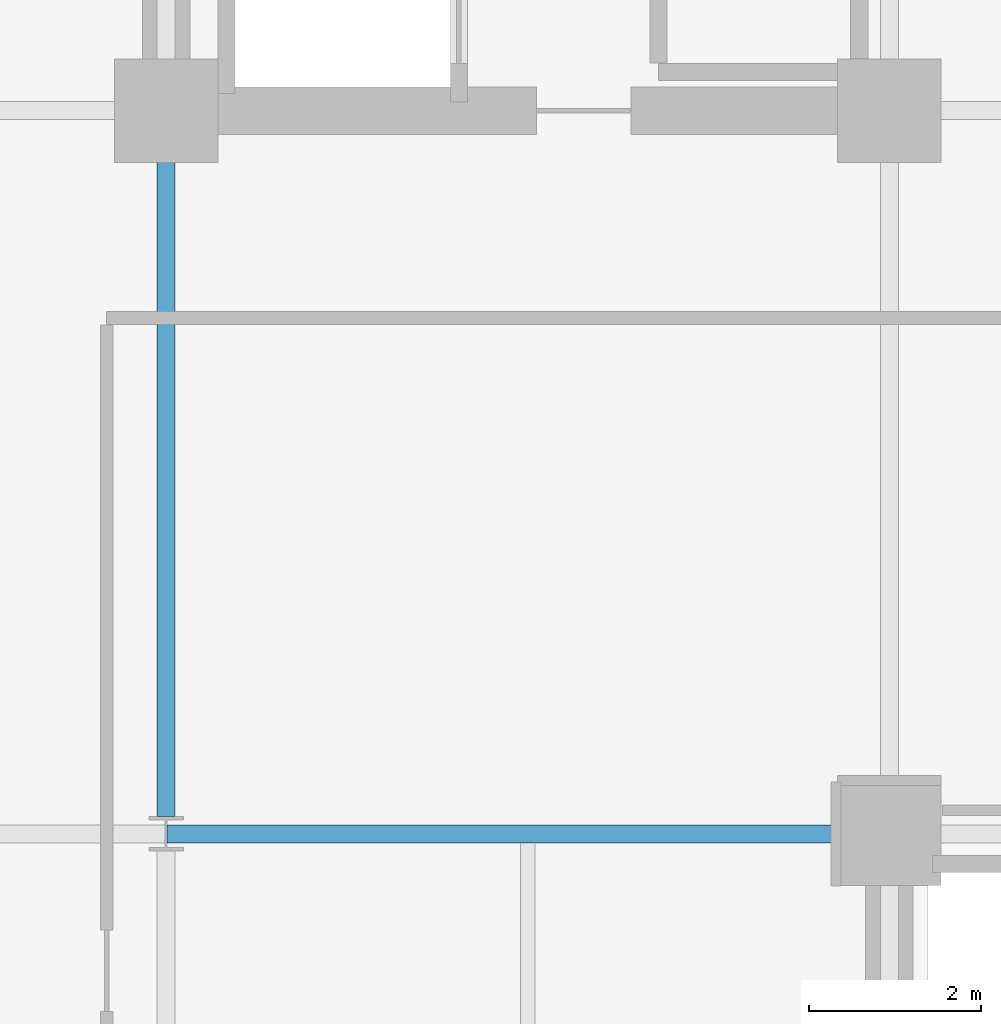
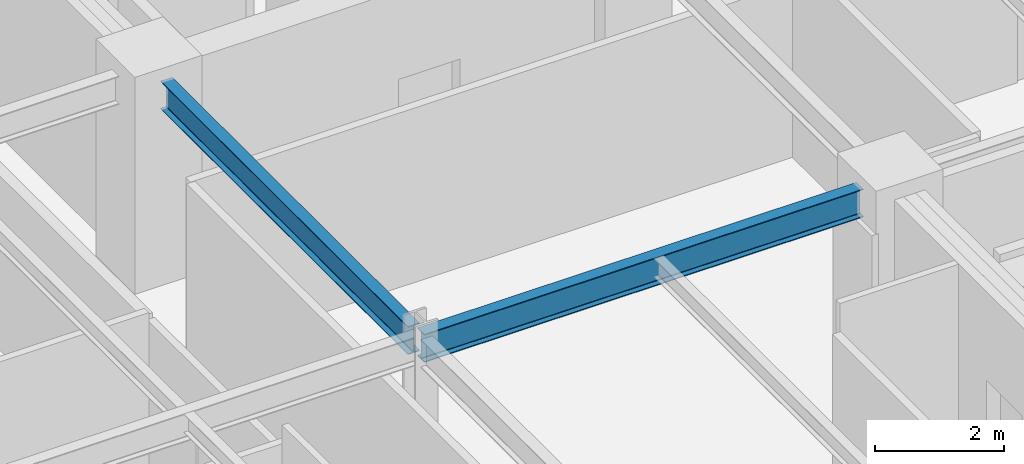
# One storey, part 9 of 29: 2 beams.
"""IFC4 building model written with IfcOpenShell, lengths in metres."""

from ifc_helpers import new_model, si_unit, direction, frame, origin, origin_2d, place, context, subcontext, project, spatial, i_section, extrude, material, material_profile, profile_set, type_object, element, save


model = new_model("IFC4")

# Units and contexts
model_context = context("Model", 3, precision=1e-05, world=origin(), true_north=direction((0.0, 1.0)))
body_context = subcontext(model_context, "Body", "Model", "MODEL_VIEW")
ifc_project = project(units=[si_unit("LENGTHUNIT", "METRE"), si_unit("AREAUNIT", "SQUARE_METRE"), si_unit("VOLUMEUNIT", "CUBIC_METRE"), si_unit("PLANEANGLEUNIT", "RADIAN"), si_unit("MASSUNIT", "GRAM", prefix="KILO")], contexts=[model_context])

# Site, building, storey
site_placement = place(None, origin())
site = spatial("IfcSite", under=ifc_project, at=site_placement, CompositionType="ELEMENT")
building_placement = place(site_placement, origin())
building = spatial("IfcBuilding", under=site, at=building_placement, Name="Nerrivon Quay Data Exchange", CompositionType="ELEMENT")
storey_placement = place(building_placement, frame((0.0, 0.0, 150.0)))
storey = spatial("IfcBuildingStorey", under=building, at=storey_placement, Name="L35", CompositionType="ELEMENT", Elevation=150.0)

# Beams
ifc_material = material(Name="Steel Grade 350", Category="steel")
ifc_material_profile_1 = material_profile(ifc_material, i_section(OverallWidth=0.208984375, OverallDepth=0.532958984375, WebThickness=0.01025390625, FlangeThickness=0.015625, FilletRadius=0.013916015625, at=origin_2d()), Name="530UB92.4")
ifc_profile_set_1 = profile_set([ifc_material_profile_1], Name="Steel Grade 350")
beam_type_1 = type_object("IfcBeamType", Name="BM-G3-530UB92", PredefinedType="BEAM", material=ifc_profile_set_1)
beam_1_placement = place(storey_placement, frame((8.41259765625, 16.800048828125, 3.55859375), z_axis=(1.0, 0.0, 0.0), x_axis=(0.0, 1.0, 0.0)))
element("IfcBeam", 1, at=beam_1_placement, inside=storey, type_object=beam_type_1, Name="L35 EW Girder Y=16.8 (8.4..16.8)", PredefinedType="BEAM", context=body_context, shape_type="SweptSolid", body=[
    extrude(i_section(OverallWidth=0.208984375, OverallDepth=0.532958984375, WebThickness=0.01025390625, FlangeThickness=0.015625, FilletRadius=0.013916015625, at=origin_2d()), origin(), (0.0, 0.0, 1.0), 7.847412109375),
])
ifc_material_profile_2 = material_profile(ifc_material, i_section(OverallWidth=0.208984375, OverallDepth=0.528076171875, WebThickness=0.009521484375, FlangeThickness=0.01318359375, FilletRadius=0.013916015625, at=origin_2d()), Name="530UB82.0")
ifc_profile_set_2 = profile_set([ifc_material_profile_2], Name="Steel Grade 350")
beam_type_2 = type_object("IfcBeamType", Name="BM-G4-530UB82", PredefinedType="BEAM", material=ifc_profile_set_2)
beam_2_placement = place(storey_placement, frame((8.39990234375, 17.0, 3.56103515625), z_axis=(0.0, 1.0, 0.0), x_axis=(-1.0, 0.0, 0.0)))
element("IfcBeam", 2, at=beam_2_placement, inside=storey, type_object=beam_type_2, Name="L35 NS Girder X=8.4 (16.8..25.2)", PredefinedType="BEAM", context=body_context, shape_type="SweptSolid", body=[
    extrude(i_section(OverallWidth=0.208984375, OverallDepth=0.528076171875, WebThickness=0.009521484375, FlangeThickness=0.01318359375, FilletRadius=0.013916015625, at=origin_2d()), origin(), (0.0, 0.0, 1.0), 7.659912109375),
])

save(model, "model.ifc")
